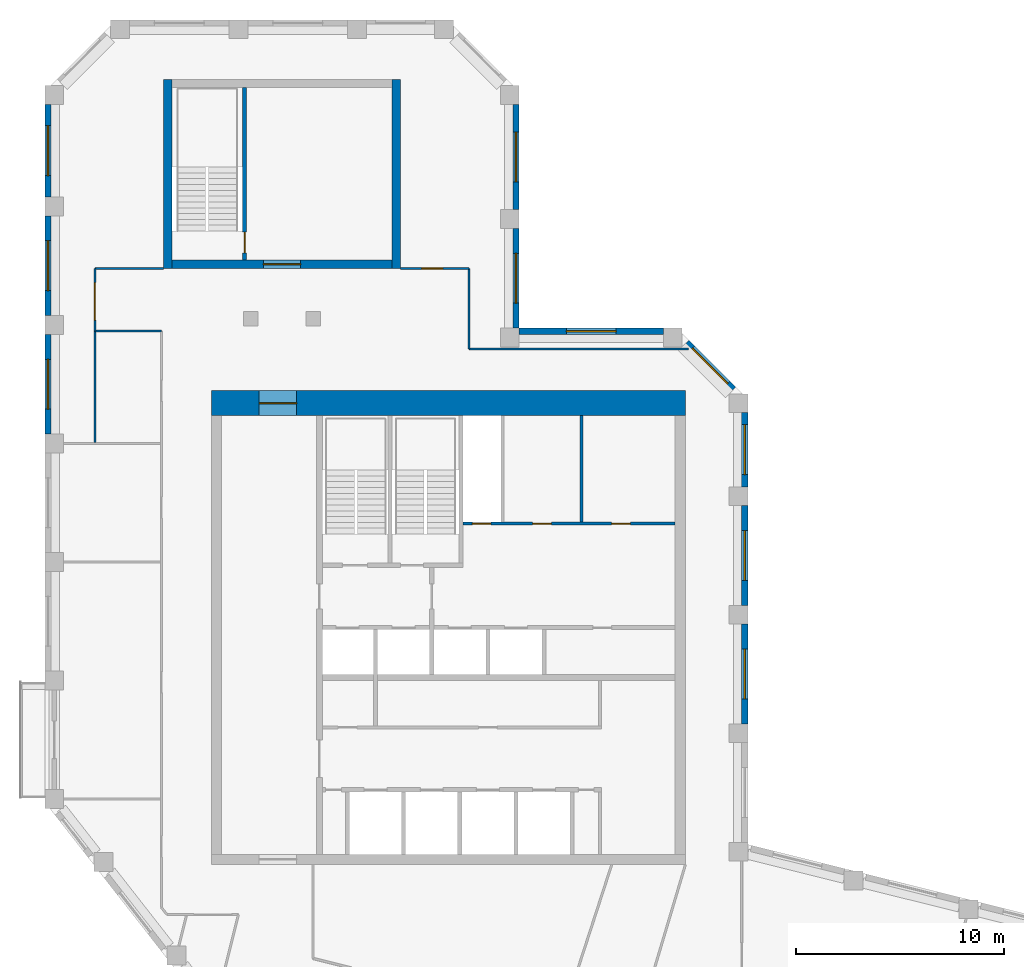
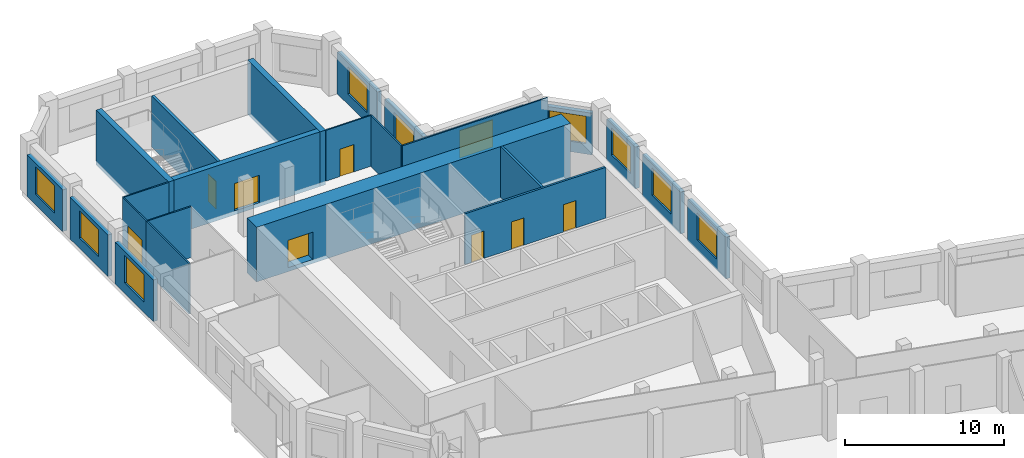
# One storey, part 6 of 8: 24 walls, 10 windows, 8 doors, 18 openings.
"""IFC4 building model written with IfcOpenShell, lengths in metres."""

import ifcopenshell
import ifcopenshell.guid

model = None  # the IFC model being written
_history = None  # IfcOwnerHistory: only IFC2X3 demands one
_inside = {}  # id of a spatial element -> (the spatial element, [elements in it])
_under = {}  # id of a project, library or spatial element -> (it, [spatial elements below it])
_declared = {}  # id of a project -> (the project, [libraries it declares])
_typed = {}  # id of a type object -> (the type object, [elements of that type])
_made_of = {}  # id of a material, layer set ... -> (it, [elements and type objects made of it])


def new_model(schema):
    """Start an empty IFC model of exactly this schema.

    Asked for "IFC4X3", IfcOpenShell would pick the latest addendum, in which some entities
    have other attributes; the version numbers below select the first issue.
    IFC2X3 requires an IfcOwnerHistory on every rooted entity: one is made here for all.
    """
    global model, _history
    if schema == "IFC4X3":
        model = ifcopenshell.file(schema_version=(4, 3, 0, 0))
    else:
        model = ifcopenshell.file(schema=schema)
    _inside.clear()
    _under.clear()
    _declared.clear()
    _typed.clear()
    _made_of.clear()
    _history = None
    if model.schema == "IFC2X3":
        org = make("IfcOrganization", Name="unknown")
        user = make(
            "IfcPersonAndOrganization",
            ThePerson=make("IfcPerson", FamilyName="unknown"),
            TheOrganization=org,
        )
        app = make(
            "IfcApplication",
            ApplicationDeveloper=org,
            Version="unknown",
            ApplicationFullName="unknown",
            ApplicationIdentifier="unknown",
        )
        _history = make(
            "IfcOwnerHistory",
            OwningUser=user,
            OwningApplication=app,
            ChangeAction="ADDED",
            CreationDate=0,
        )
    return model


def make(cls, **values):
    """One entity of the class cls with the attributes given. An attribute that is None is left unset."""
    return model.create_entity(
        cls, **{name: value for name, value in values.items() if value is not None}
    )


def rooted(cls, **values):
    """An entity with a GlobalId (a new one), such as an element, a storey or a relation."""
    return make(cls, GlobalId=ifcopenshell.guid.new(), OwnerHistory=_history, **values)


def si_unit(unit_type, name, prefix=None):
    """IfcSIUnit, for example si_unit("LENGTHUNIT", "METRE", prefix="MILLI")."""
    return make("IfcSIUnit", UnitType=unit_type, Prefix=prefix, Name=name)


def assignment(units):
    """IfcUnitAssignment: the units of a project."""
    return None if units is None else make("IfcUnitAssignment", Units=units)


def point(xyz):
    """IfcCartesianPoint."""
    return None if xyz is None else make("IfcCartesianPoint", Coordinates=xyz)


def direction(xyz):
    """IfcDirection."""
    return None if xyz is None else make("IfcDirection", DirectionRatios=xyz)


def frame(location, z_axis=None, x_axis=None):
    """IfcAxis2Placement3D, a coordinate frame: its origin and axes. An axis left out is left unset."""
    return make(
        "IfcAxis2Placement3D",
        Location=point(location),
        Axis=direction(z_axis),
        RefDirection=direction(x_axis),
    )


def frame_2d(location, x_axis=None):
    """IfcAxis2Placement2D, a coordinate frame in the plane: its origin and x axis."""
    return make(
        "IfcAxis2Placement2D", Location=point(location), RefDirection=direction(x_axis)
    )


def origin():
    """The frame at (0, 0, 0) with its axes left unset."""
    return frame((0.0, 0.0, 0.0))


def place(relative_to, where):
    """IfcLocalPlacement: puts the frame where relative to a parent placement (None: the world)."""
    return make(
        "IfcLocalPlacement", PlacementRelTo=relative_to, RelativePlacement=where
    )


def context(
    kind, dimensions, precision=None, world=None, true_north=None, identifier=None
):
    """IfcGeometricRepresentationContext, for example the 3D "Model" context."""
    return make(
        "IfcGeometricRepresentationContext",
        ContextIdentifier=identifier,
        ContextType=kind,
        CoordinateSpaceDimension=dimensions,
        Precision=precision,
        WorldCoordinateSystem=world,
        TrueNorth=true_north,
    )


def subcontext(parent, identifier, kind, view, scale=None):
    """IfcGeometricRepresentationSubContext, for example "Body" below "Model"."""
    return make(
        "IfcGeometricRepresentationSubContext",
        ContextIdentifier=identifier,
        ContextType=kind,
        ParentContext=parent,
        TargetScale=scale,
        TargetView=view,
    )


def project(units=None, contexts=None):
    """IfcProject with its units and contexts."""
    return rooted(
        "IfcProject",
        Name="project",
        RepresentationContexts=contexts,
        UnitsInContext=assignment(units),
    )


def spatial(cls, under=None, at=None, **own):
    """A site, building, storey or space (cls), placed at a placement, below another one or the project."""
    s = rooted(cls, ObjectPlacement=at, **own)
    if under is not None:
        _under.setdefault(under.id(), (under, []))[1].append(s)
    return s


def profile(cls, at=None, kind="AREA", **sizes):
    """A parametric profile (cls). Its sizes go by their IFC names, for example OverallWidth=200.0."""
    return make(cls, ProfileType=kind, Position=at, **sizes)


def rectangle(**sizes):
    """IfcRectangleProfileDef."""
    return profile("IfcRectangleProfileDef", **sizes)


def extrude(swept, where, along, depth):
    """IfcExtrudedAreaSolid: the profile swept, set in the frame where, extruded along a direction by depth."""
    return make(
        "IfcExtrudedAreaSolid",
        SweptArea=swept,
        Position=where,
        ExtrudedDirection=direction(along),
        Depth=depth,
    )


def shape(context_of_items, identifier, shape_type, items):
    """IfcShapeRepresentation: the items that make up one representation, for example the "Body"."""
    return make(
        "IfcShapeRepresentation",
        ContextOfItems=context_of_items,
        RepresentationIdentifier=identifier,
        RepresentationType=shape_type,
        Items=items,
    )


def material(Name=None, Category=None):
    """IfcMaterial."""
    return make("IfcMaterial", Name=Name, Category=Category)


def layer(
    of_material, thickness, ventilated=None, Name=None, Category=None, Priority=None
):
    """IfcMaterialLayer: one layer of a wall or slab, of a material (None: an air gap)."""
    return make(
        "IfcMaterialLayer",
        Material=of_material,
        LayerThickness=thickness,
        IsVentilated=ventilated,
        Name=Name,
        Category=Category,
        Priority=Priority,
    )


def layer_set(layers, Name=None):
    """IfcMaterialLayerSet."""
    return make("IfcMaterialLayerSet", MaterialLayers=layers, LayerSetName=Name)


def made_of(thing, what):
    """Note that an element or type object is made of a material, layer set ...; save() writes the relation."""
    if what is not None:
        _made_of.setdefault(what.id(), (what, []))[1].append(thing)
    return thing


def type_object(cls, material=None, **own):
    """A type object (cls), such as IfcWallType, which elements share."""
    return made_of(rooted(cls, **own), material)


def element(
    cls,
    number,
    at=None,
    inside=None,
    cuts=None,
    type_object=None,
    material=None,
    context=None,
    identifier="Body",
    shape_type=None,
    held_by="IfcProductDefinitionShape",
    body=None,
    shapes=None,
    **own,
):
    """One element of the class cls, such as IfcWall. Its Tag is "e" and its number.

    at: its placement. inside: the storey or other place that contains it. cuts: it is an
    opening in that element (IfcRelVoidsElement). A single representation is given by context,
    identifier, shape_type and body (its items); several are given by shapes. held_by: the class
    of the entity that holds the representations. save() writes the other relations.
    """
    e = rooted(cls, Tag="e%d" % number, ObjectPlacement=at, **own)
    if body is not None:
        shapes = [shape(context, identifier, shape_type, body)]
    if shapes is not None:
        e.Representation = make(held_by, Representations=shapes)
    if inside is not None:
        _inside.setdefault(inside.id(), (inside, []))[1].append(e)
    if cuts is not None:
        rooted(
            "IfcRelVoidsElement", RelatingBuildingElement=cuts, RelatedOpeningElement=e
        )
    if type_object is not None:
        _typed.setdefault(type_object.id(), (type_object, []))[1].append(e)
    return made_of(e, material)


def fill(opening, filler):
    """IfcRelFillsElement: the door or window that sits in an opening."""
    return rooted(
        "IfcRelFillsElement",
        RelatingOpeningElement=opening,
        RelatedBuildingElement=filler,
    )


def aggregate(whole, parts):
    """IfcRelAggregates: a whole, such as a stair, and the parts it consists of."""
    return rooted("IfcRelAggregates", RelatingObject=whole, RelatedObjects=parts)


def save(model, path):
    """Write the relations noted so far, then the file.

    IfcRelAggregates (storeys below a building ...), IfcRelContainedInSpatialStructure (elements
    in a storey), IfcRelDefinesByType, IfcRelAssociatesMaterial and IfcRelDeclares: one each for
    every whole, place, type object, material and project.
    """
    for whole, parts in _under.values():
        aggregate(whole, parts)
    for where, things in _inside.values():
        rooted(
            "IfcRelContainedInSpatialStructure",
            RelatedElements=things,
            RelatingStructure=where,
        )
    for kind, things in _typed.values():
        rooted("IfcRelDefinesByType", RelatedObjects=things, RelatingType=kind)
    for what, things in _made_of.values():
        rooted("IfcRelAssociatesMaterial", RelatedObjects=things, RelatingMaterial=what)
    for by, libraries in _declared.values():
        rooted("IfcRelDeclares", RelatingContext=by, RelatedDefinitions=libraries)
    model.write(path)


model = new_model("IFC4")

# Units and contexts
model_context = context("Model", 3, precision=1e-05, world=origin(), true_north=direction((0.0, 1.0)))
body_context = subcontext(model_context, "Body", "Model", "MODEL_VIEW")
ifc_project = project(units=[si_unit("LENGTHUNIT", "METRE"), si_unit("AREAUNIT", "SQUARE_METRE"), si_unit("VOLUMEUNIT", "CUBIC_METRE"), si_unit("PLANEANGLEUNIT", "RADIAN"), si_unit("MASSUNIT", "GRAM", prefix="KILO")], contexts=[model_context])

# Site, building, storey
site_placement = place(None, origin())
site = spatial("IfcSite", under=ifc_project, at=site_placement, CompositionType="ELEMENT")
building_placement = place(site_placement, origin())
building = spatial("IfcBuilding", under=site, at=building_placement, Name="Meshkara Civic Tower", CompositionType="ELEMENT")
storey_placement = place(building_placement, frame((0.0, 0.0, 391.800048828125)))
storey = spatial("IfcBuildingStorey", under=building, at=storey_placement, Name="L90", CompositionType="ELEMENT", Elevation=391.800048828125)

# Wall, openings, doors
ifc_material_1 = material(Name="Blockwork", Category="masonry")
ifc_layer_1 = layer(ifc_material_1, 0.14990234375)
ifc_layer_set_1 = layer_set([ifc_layer_1], Name="Core partition 150")
wall_type_1 = type_object("IfcWallType", Name="Core partition 150", PredefinedType="PARTITIONING", material=ifc_layer_set_1)
wall_1_placement = place(storey_placement, frame((20.10009765625, 30.5, 0.0), z_axis=(0.0, 0.0, 1.0), x_axis=(1.0, 0.0, 0.0)))
wall_1 = element("IfcWall", 1, at=wall_1_placement, inside=storey, type_object=wall_type_1, Name="L90-C010", PredefinedType="PARTITIONING", context=body_context, shape_type="SweptSolid", body=[
    extrude(rectangle(XDim=10.199951171875, YDim=0.14990234375, at=frame_2d((5.10009765625, 0.0))), origin(), (0.0, 0.0, 1.0), 3.89990234375),
])
opening_1_placement = place(wall_1_placement, frame((0.449951171875, 0.0, 0.0)))
opening_1 = element("IfcOpeningElement", 2, at=opening_1_placement, cuts=wall_1, Name="Opening L90-K014", PredefinedType="OPENING", context=body_context, shape_type="SweptSolid", body=[
    extrude(rectangle(XDim=0.89990234375, YDim=2.10009765625, at=frame_2d((0.449951171875, 1.050048828125))), frame((0.0, 0.0849609375, 0.0), z_axis=(0.0, -1.0, 0.0), x_axis=(1.0, 0.0, 0.0)), (0.0, 0.0, 1.0), 0.169921875),
])
opening_2_placement = place(wall_1_placement, frame((3.35009765625, 0.0, 0.0)))
opening_2 = element("IfcOpeningElement", 3, at=opening_2_placement, cuts=wall_1, Name="Opening L90-K015", PredefinedType="OPENING", context=body_context, shape_type="SweptSolid", body=[
    extrude(rectangle(XDim=0.89990234375, YDim=2.10009765625, at=frame_2d((0.449951171875, 1.050048828125))), frame((0.0, 0.0849609375, 0.0), z_axis=(0.0, -1.0, 0.0), x_axis=(1.0, 0.0, 0.0)), (0.0, 0.0, 1.0), 0.169921875),
])
opening_3_placement = place(wall_1_placement, frame((7.14990234375, 0.0, 0.0)))
opening_3 = element("IfcOpeningElement", 4, at=opening_3_placement, cuts=wall_1, Name="Opening L90-K016", PredefinedType="OPENING", context=body_context, shape_type="SweptSolid", body=[
    extrude(rectangle(XDim=0.89990234375, YDim=2.10009765625, at=frame_2d((0.449951171875, 1.050048828125))), frame((0.0, 0.0849609375, 0.0), z_axis=(0.0, -1.0, 0.0), x_axis=(1.0, 0.0, 0.0)), (0.0, 0.0, 1.0), 0.169921875),
])
ifc_material_2 = material(Name="Timber door leaf in steel frame", Category="steel")
door_type_1 = type_object("IfcDoorType", Name="Core room door 900", OperationType="SINGLE_SWING_LEFT", PredefinedType="DOOR", material=ifc_material_2)
door_1_placement = place(opening_2_placement, origin())
door_1 = element("IfcDoor", 5, at=door_1_placement, inside=storey, type_object=door_type_1, Name="L90-K015", OperationType="SINGLE_SWING_RIGHT", OverallHeight=2.10009765625, OverallWidth=0.89990234375, PredefinedType="DOOR", context=body_context, shape_type="SweptSolid", body=[
    extrude(rectangle(XDim=0.89990234375, YDim=2.10009765625, at=frame_2d((0.449951171875, 1.050048828125))), frame((0.0, 0.02490234375, 0.0), z_axis=(0.0, -1.0, 0.0), x_axis=(1.0, 0.0, 0.0)), (0.0, 0.0, 1.0), 0.050048828125),
])
fill(opening_2, door_1)
ifc_material_3 = material(Name="Fire-rated door leaf in steel frame", Category="steel")
door_type_2 = type_object("IfcDoorType", Name="Riser door 900", OperationType="SINGLE_SWING_LEFT", PredefinedType="DOOR", material=ifc_material_3)
door_2_placement = place(opening_1_placement, origin())
door_2 = element("IfcDoor", 6, at=door_2_placement, inside=storey, type_object=door_type_2, Name="L90-K014", OperationType="SINGLE_SWING_RIGHT", OverallHeight=2.10009765625, OverallWidth=0.89990234375, PredefinedType="DOOR", context=body_context, shape_type="SweptSolid", body=[
    extrude(rectangle(XDim=0.89990234375, YDim=2.10009765625, at=frame_2d((0.449951171875, 1.050048828125))), frame((0.0, 0.02490234375, 0.0), z_axis=(0.0, -1.0, 0.0), x_axis=(1.0, 0.0, 0.0)), (0.0, 0.0, 1.0), 0.050048828125),
])
fill(opening_1, door_2)
ifc_material_4 = material(Name="Timber door leaf in steel frame", Category="steel")
door_type_3 = type_object("IfcDoorType", Name="WC door 900", OperationType="SINGLE_SWING_LEFT", PredefinedType="DOOR", material=ifc_material_4)
door_3_placement = place(opening_3_placement, origin())
door_3 = element("IfcDoor", 7, at=door_3_placement, inside=storey, type_object=door_type_3, Name="L90-K016", OperationType="SINGLE_SWING_LEFT", OverallHeight=2.10009765625, OverallWidth=0.89990234375, PredefinedType="DOOR", context=body_context, shape_type="SweptSolid", body=[
    extrude(rectangle(XDim=0.89990234375, YDim=2.10009765625, at=frame_2d((0.449951171875, 1.050048828125))), frame((0.0, 0.02490234375, 0.0), z_axis=(0.0, -1.0, 0.0), x_axis=(1.0, 0.0, 0.0)), (0.0, 0.0, 1.0), 0.050048828125),
])
fill(opening_3, door_3)

# Wall
wall_2_placement = place(storey_placement, frame((25.800048828125, 30.574951171875, 0.0), z_axis=(0.0, 0.0, 1.0), x_axis=(0.0, 1.0, 0.0)))
element("IfcWall", 8, at=wall_2_placement, inside=storey, type_object=wall_type_1, Name="L90-C024", PredefinedType="PARTITIONING", context=body_context, shape_type="SweptSolid", body=[
    extrude(rectangle(XDim=5.125, YDim=0.14990234375, at=frame_2d((2.5625, 0.0))), origin(), (0.0, 0.0, 1.0), 3.89990234375),
])

# Wall, opening, door
ifc_material_5 = material(Name="Concrete C50", Category="concrete")
ifc_layer_2 = layer(ifc_material_5, 1.199951171875)
ifc_layer_set_2 = layer_set([ifc_layer_2], Name="Core ring wall 1200 C50")
wall_type_2 = type_object("IfcWallType", Name="Core ring wall 1200 C50", PredefinedType="SHEAR", material=ifc_layer_set_2)
wall_3_placement = place(storey_placement, frame((8.0, 36.300048828125, -0.300048828125), z_axis=(0.0, 0.0, 1.0), x_axis=(1.0, 0.0, 0.0)))
wall_3 = element("IfcWall", 9, at=wall_3_placement, inside=storey, type_object=wall_type_2, Name="L90-C002", PredefinedType="SHEAR", context=body_context, shape_type="SweptSolid", body=[
    extrude(rectangle(XDim=22.800048828125, YDim=1.199951171875, at=frame_2d((11.39990234375, 0.0))), origin(), (0.0, 0.0, 1.0), 4.199951171875),
])
opening_4_placement = place(wall_3_placement, frame((2.300048828125, 0.0, 0.300048828125)))
opening_4 = element("IfcOpeningElement", 10, at=opening_4_placement, cuts=wall_3, Name="Opening L90-K022", PredefinedType="OPENING", context=body_context, shape_type="SweptSolid", body=[
    extrude(rectangle(XDim=1.800048828125, YDim=2.10009765625, at=frame_2d((0.89990234375, 1.050048828125))), frame((0.0, 0.60986328125, 0.0), z_axis=(0.0, -1.0, 0.0), x_axis=(1.0, 0.0, 0.0)), (0.0, 0.0, 1.0), 1.219970703125),
])
ifc_material_6 = material(Name="Fire-rated door leaf in steel frame", Category="steel")
door_type_4 = type_object("IfcDoorType", Name="Core double door 1800 EI 60", OperationType="DOUBLE_DOOR_SINGLE_SWING", PredefinedType="DOOR", material=ifc_material_6)
door_4_placement = place(opening_4_placement, origin())
door_4 = element("IfcDoor", 11, at=door_4_placement, inside=storey, type_object=door_type_4, Name="L90-K022", OperationType="DOUBLE_DOOR_SINGLE_SWING", OverallHeight=2.10009765625, OverallWidth=1.800048828125, PredefinedType="DOOR", context=body_context, shape_type="SweptSolid", body=[
    extrude(rectangle(XDim=1.800048828125, YDim=2.10009765625, at=frame_2d((0.89990234375, 1.050048828125))), frame((0.0, 0.02490234375, 0.0), z_axis=(0.0, -1.0, 0.0), x_axis=(1.0, 0.0, 0.0)), (0.0, 0.0, 1.0), 0.050048828125),
])
fill(opening_4, door_4)

# Wall
ifc_material_7 = material(Name="Corridor wall 100")
ifc_layer_3 = layer(ifc_material_7, 0.10009765625)
ifc_layer_set_3 = layer_set([ifc_layer_3], Name="Corridor wall 100")
wall_type_3 = type_object("IfcWallType", Name="Corridor wall 100", PredefinedType="PARTITIONING", material=ifc_layer_set_3)
wall_4_placement = place(storey_placement, frame((2.39990234375, 39.77001953125, 0.0), z_axis=(0.0, 0.0, 1.0), x_axis=(1.0, 0.0, 0.0)))
element("IfcWall", 12, at=wall_4_placement, inside=storey, type_object=wall_type_3, Name="L90-W001", PredefinedType="PARTITIONING", context=body_context, shape_type="SweptSolid", body=[
    extrude(rectangle(XDim=3.2001953125, YDim=0.10009765625, at=frame_2d((1.60009765625, 0.0))), origin(), (0.0, 0.0, 1.0), 3.89990234375),
])

# Wall, opening, door
wall_5_placement = place(storey_placement, frame((2.39990234375, 42.77001953125, 0.0), z_axis=(0.0, 0.0, 1.0), x_axis=(0.0, -1.0, 0.0)))
wall_5 = element("IfcWall", 13, at=wall_5_placement, inside=storey, type_object=wall_type_3, Name="L90-W002", PredefinedType="PARTITIONING", context=body_context, shape_type="SweptSolid", body=[
    extrude(rectangle(XDim=3.0, YDim=0.10009765625, at=frame_2d((1.5, 0.0))), origin(), (0.0, 0.0, 1.0), 3.89990234375),
])
opening_5_placement = place(wall_5_placement, frame((0.679931640625, 0.0, 0.0)))
opening_5 = element("IfcOpeningElement", 14, at=opening_5_placement, cuts=wall_5, Name="Opening L90-D014", PredefinedType="OPENING", context=body_context, shape_type="SweptSolid", body=[
    extrude(rectangle(XDim=1.800048828125, YDim=2.10009765625, at=frame_2d((0.89990234375, 1.050048828125))), frame((0.0, 0.06005859375, 0.0), z_axis=(0.0, -1.0, 0.0), x_axis=(1.0, 0.0, 0.0)), (0.0, 0.0, 1.0), 0.1201171875),
])
ifc_material_8 = material(Name="Door pair 1800 x 2100")
door_type_5 = type_object("IfcDoorType", Name="Door pair 1800 x 2100", OperationType="SINGLE_SWING_LEFT", PredefinedType="DOOR", material=ifc_material_8)
door_5_placement = place(opening_5_placement, origin())
door_5 = element("IfcDoor", 15, at=door_5_placement, inside=storey, type_object=door_type_5, Name="L90-D014", OperationType="DOUBLE_DOOR_SINGLE_SWING", OverallHeight=2.10009765625, OverallWidth=1.800048828125, PredefinedType="DOOR", context=body_context, shape_type="SweptSolid", body=[
    extrude(rectangle(XDim=1.800048828125, YDim=2.10009765625, at=frame_2d((0.89990234375, 1.050048828125))), frame((0.0, 0.02490234375, 0.0), z_axis=(0.0, -1.0, 0.0), x_axis=(1.0, 0.0, 0.0)), (0.0, 0.0, 1.0), 0.050048828125),
])
fill(opening_5, door_5)

# Walls
wall_6_placement = place(storey_placement, frame((5.699951171875, 42.77001953125, 0.0), z_axis=(0.0, 0.0, 1.0), x_axis=(-1.0, 0.0, 0.0)))
element("IfcWall", 16, at=wall_6_placement, inside=storey, type_object=wall_type_3, Name="L90-W005", PredefinedType="PARTITIONING", context=body_context, shape_type="SweptSolid", body=[
    extrude(rectangle(XDim=3.300048828125, YDim=0.10009765625, at=frame_2d((1.64990234375, 0.0))), origin(), (0.0, 0.0, 1.0), 3.89990234375),
])
wall_7_placement = place(storey_placement, frame((20.39990234375, 38.89990234375, 0.0), z_axis=(0.0, 0.0, 1.0), x_axis=(0.0, 1.0, 0.0)))
element("IfcWall", 17, at=wall_7_placement, inside=storey, type_object=wall_type_3, Name="L90-W011", PredefinedType="PARTITIONING", context=body_context, shape_type="SweptSolid", body=[
    extrude(rectangle(XDim=3.8701171875, YDim=0.10009765625, at=frame_2d((1.93505859375, 0.0))), origin(), (0.0, 0.0, 1.0), 3.89990234375),
])

# Wall, opening, door
wall_8_placement = place(storey_placement, frame((20.39990234375, 42.77001953125, 0.0), z_axis=(0.0, 0.0, 1.0), x_axis=(-1.0, 0.0, 0.0)))
wall_8 = element("IfcWall", 18, at=wall_8_placement, inside=storey, type_object=wall_type_3, Name="L90-W012", PredefinedType="PARTITIONING", context=body_context, shape_type="SweptSolid", body=[
    extrude(rectangle(XDim=3.2998046875, YDim=0.10009765625, at=frame_2d((1.64990234375, 0.0))), origin(), (0.0, 0.0, 1.0), 3.89990234375),
])
opening_6_placement = place(wall_8_placement, frame((1.280029296875, 0.0, 0.0)))
opening_6 = element("IfcOpeningElement", 19, at=opening_6_placement, cuts=wall_8, Name="Opening L90-D016", PredefinedType="OPENING", context=body_context, shape_type="SweptSolid", body=[
    extrude(rectangle(XDim=1.0, YDim=2.10009765625, at=frame_2d((0.5, 1.050048828125))), frame((0.0, 0.06005859375, 0.0), z_axis=(0.0, -1.0, 0.0), x_axis=(1.0, 0.0, 0.0)), (0.0, 0.0, 1.0), 0.1201171875),
])
ifc_material_9 = material(Name="Door 1000 x 2100")
door_type_6 = type_object("IfcDoorType", Name="Door 1000 x 2100", OperationType="SINGLE_SWING_LEFT", PredefinedType="DOOR", material=ifc_material_9)
door_6_placement = place(opening_6_placement, origin())
door_6 = element("IfcDoor", 20, at=door_6_placement, inside=storey, type_object=door_type_6, Name="L90-D016", OperationType="SINGLE_SWING_LEFT", OverallHeight=2.10009765625, OverallWidth=1.0, PredefinedType="DOOR", context=body_context, shape_type="SweptSolid", body=[
    extrude(rectangle(XDim=1.0, YDim=2.10009765625, at=frame_2d((0.5, 1.050048828125))), frame((0.0, 0.02490234375, 0.0), z_axis=(0.0, -1.0, 0.0), x_axis=(1.0, 0.0, 0.0)), (0.0, 0.0, 1.0), 0.050048828125),
])
fill(opening_6, door_6)

# Wall
wall_9_placement = place(storey_placement, frame((30.9560546875, 38.89990234375, 0.0), z_axis=(0.0, 0.0, 1.0), x_axis=(-1.0, 0.0, 0.0)))
element("IfcWall", 21, at=wall_9_placement, inside=storey, type_object=wall_type_3, Name="L90-W014", PredefinedType="PARTITIONING", context=body_context, shape_type="SweptSolid", body=[
    extrude(rectangle(XDim=10.55615234375, YDim=0.10009765625, at=frame_2d((5.278076171875, 0.0))), origin(), (0.0, 0.0, 1.0), 3.89990234375),
])

# Wall, opening, window
ifc_material_10 = material(Name="Insulated infill panel with bronze anodised aluminium cladding", Category="aluminium")
ifc_layer_4 = layer(ifc_material_10, 0.300048828125)
ifc_layer_set_4 = layer_set([ifc_layer_4], Name="EXTERNAL INFILL WALL 300")
wall_type_4 = type_object("IfcWallType", Name="EXTERNAL INFILL WALL 300", PredefinedType="SOLIDWALL", material=ifc_layer_set_4)
wall_10_placement = place(storey_placement, frame((33.64990234375, 20.868896484375, 0.0), z_axis=(0.0, 0.0, 1.0), x_axis=(0.0, 1.0, 0.0)))
wall_10 = element("IfcWall", 22, at=wall_10_placement, inside=storey, type_object=wall_type_4, Name="External wall", PredefinedType="SOLIDWALL", context=body_context, shape_type="SweptSolid", body=[
    extrude(rectangle(XDim=4.800048828125, YDim=0.300048828125, at=frame_2d((2.39990234375, 0.0))), origin(), (0.0, 0.0, 1.0), 3.199951171875),
])
opening_7_placement = place(wall_10_placement, frame((1.199951171875, 0.0, 0.800048828125)))
opening_7 = element("IfcOpeningElement", 23, at=opening_7_placement, cuts=wall_10, Name="Opening W7", PredefinedType="OPENING", context=body_context, shape_type="SweptSolid", body=[
    extrude(rectangle(XDim=2.39990234375, YDim=2.10009765625, at=frame_2d((1.199951171875, 1.050048828125))), frame((0.0, 0.159912109375, 0.0), z_axis=(0.0, -1.0, 0.0), x_axis=(1.0, 0.0, 0.0)), (0.0, 0.0, 1.0), 0.320068359375),
])
ifc_material_11 = material(Name="Tinted double glazing", Category="glass")
window_type = type_object("IfcWindowType", Name="WINDOW 2400x2100", PartitioningType="DOUBLE_PANEL_VERTICAL", PredefinedType="WINDOW", material=ifc_material_11)
window_1_placement = place(opening_7_placement, origin())
window_1 = element("IfcWindow", 24, at=window_1_placement, inside=storey, type_object=window_type, Name="Window", OverallHeight=2.10009765625, OverallWidth=2.39990234375, PartitioningType="DOUBLE_PANEL_VERTICAL", PredefinedType="WINDOW", context=body_context, shape_type="SweptSolid", body=[
    extrude(rectangle(XDim=2.39990234375, YDim=2.10009765625, at=frame_2d((1.199951171875, 1.050048828125))), frame((0.0, 0.030029296875, 0.0), z_axis=(0.0, -1.0, 0.0), x_axis=(1.0, 0.0, 0.0)), (0.0, 0.0, 1.0), 0.06005859375),
])
fill(opening_7, window_1)

wall_11_placement = place(storey_placement, frame((33.64990234375, 26.569091796875, 0.0), z_axis=(0.0, 0.0, 1.0), x_axis=(0.0, 1.0, 0.0)))
wall_11 = element("IfcWall", 25, at=wall_11_placement, inside=storey, type_object=wall_type_4, Name="External wall", PredefinedType="SOLIDWALL", context=body_context, shape_type="SweptSolid", body=[
    extrude(rectangle(XDim=4.7998046875, YDim=0.300048828125, at=frame_2d((2.39990234375, 0.0))), origin(), (0.0, 0.0, 1.0), 3.199951171875),
])
opening_8_placement = place(wall_11_placement, frame((1.199951171875, 0.0, 0.800048828125)))
opening_8 = element("IfcOpeningElement", 26, at=opening_8_placement, cuts=wall_11, Name="Opening W7", PredefinedType="OPENING", context=body_context, shape_type="SweptSolid", body=[
    extrude(rectangle(XDim=2.39990234375, YDim=2.10009765625, at=frame_2d((1.199951171875, 1.050048828125))), frame((0.0, 0.159912109375, 0.0), z_axis=(0.0, -1.0, 0.0), x_axis=(1.0, 0.0, 0.0)), (0.0, 0.0, 1.0), 0.320068359375),
])
window_2_placement = place(opening_8_placement, origin())
window_2 = element("IfcWindow", 27, at=window_2_placement, inside=storey, type_object=window_type, Name="Window", OverallHeight=2.10009765625, OverallWidth=2.39990234375, PartitioningType="DOUBLE_PANEL_VERTICAL", PredefinedType="WINDOW", context=body_context, shape_type="SweptSolid", body=[
    extrude(rectangle(XDim=2.39990234375, YDim=2.10009765625, at=frame_2d((1.199951171875, 1.050048828125))), frame((0.0, 0.030029296875, 0.0), z_axis=(0.0, -1.0, 0.0), x_axis=(1.0, 0.0, 0.0)), (0.0, 0.0, 1.0), 0.06005859375),
])
fill(opening_8, window_2)

wall_12_placement = place(storey_placement, frame((33.64990234375, 32.26904296875, 0.0), z_axis=(0.0, 0.0, 1.0), x_axis=(0.0, 1.0, 0.0)))
wall_12 = element("IfcWall", 28, at=wall_12_placement, inside=storey, type_object=wall_type_4, Name="External wall", PredefinedType="SOLIDWALL", context=body_context, shape_type="SweptSolid", body=[
    extrude(rectangle(XDim=3.574951171875, YDim=0.300048828125, at=frame_2d((1.78759765625, 0.0))), origin(), (0.0, 0.0, 1.0), 3.199951171875),
])
opening_9_placement = place(wall_12_placement, frame((0.587890625, 0.0, 0.800048828125)))
opening_9 = element("IfcOpeningElement", 29, at=opening_9_placement, cuts=wall_12, Name="Opening W7", PredefinedType="OPENING", context=body_context, shape_type="SweptSolid", body=[
    extrude(rectangle(XDim=2.39990234375, YDim=2.10009765625, at=frame_2d((1.199951171875, 1.050048828125))), frame((0.0, 0.159912109375, 0.0), z_axis=(0.0, -1.0, 0.0), x_axis=(1.0, 0.0, 0.0)), (0.0, 0.0, 1.0), 0.320068359375),
])
window_3_placement = place(opening_9_placement, origin())
window_3 = element("IfcWindow", 30, at=window_3_placement, inside=storey, type_object=window_type, Name="Window", OverallHeight=2.10009765625, OverallWidth=2.39990234375, PartitioningType="DOUBLE_PANEL_VERTICAL", PredefinedType="WINDOW", context=body_context, shape_type="SweptSolid", body=[
    extrude(rectangle(XDim=2.39990234375, YDim=2.10009765625, at=frame_2d((1.199951171875, 1.050048828125))), frame((0.0, 0.030029296875, 0.0), z_axis=(0.0, -1.0, 0.0), x_axis=(1.0, 0.0, 0.0)), (0.0, 0.0, 1.0), 0.06005859375),
])
fill(opening_9, window_3)

wall_13_placement = place(storey_placement, frame((33.112060546875, 36.9560546875, 0.0), z_axis=(0.0, 0.0, 1.0), x_axis=(-0.707145041435, 0.707068518868, 0.0)))
wall_13 = element("IfcWall", 31, at=wall_13_placement, inside=storey, type_object=wall_type_4, Name="External wall", PredefinedType="SOLIDWALL", context=body_context, shape_type="SweptSolid", body=[
    extrude(rectangle(XDim=3.1904296875, YDim=0.300048828125, at=frame_2d((1.59521484375, 0.0))), origin(), (0.0, 0.0, 1.0), 3.199951171875),
])
opening_10_placement = place(wall_13_placement, frame((0.39501953125, 0.0, 0.800048828125)))
opening_10 = element("IfcOpeningElement", 32, at=opening_10_placement, cuts=wall_13, Name="Opening W7", PredefinedType="OPENING", context=body_context, shape_type="SweptSolid", body=[
    extrude(rectangle(XDim=2.39990234375, YDim=2.10009765625, at=frame_2d((1.199951171875, 1.050048828125))), frame((0.0, 0.159912109375, 0.0), z_axis=(0.0, -1.0, 0.0), x_axis=(1.0, 0.0, 0.0)), (0.0, 0.0, 1.0), 0.320068359375),
])
window_4_placement = place(opening_10_placement, origin())
window_4 = element("IfcWindow", 33, at=window_4_placement, inside=storey, type_object=window_type, Name="Window", OverallHeight=2.10009765625, OverallWidth=2.39990234375, PartitioningType="DOUBLE_PANEL_VERTICAL", PredefinedType="WINDOW", context=body_context, shape_type="SweptSolid", body=[
    extrude(rectangle(XDim=2.39990234375, YDim=2.10009765625, at=frame_2d((1.199951171875, 1.050048828125))), frame((0.0, 0.030029296875, 0.0), z_axis=(0.0, -1.0, 0.0), x_axis=(1.0, 0.0, 0.0)), (0.0, 0.0, 1.0), 0.06005859375),
])
fill(opening_10, window_4)

wall_14_placement = place(storey_placement, frame((29.743896484375, 39.75, 0.0), z_axis=(0.0, 0.0, 1.0), x_axis=(-1.0, 0.0, 0.0)))
wall_14 = element("IfcWall", 34, at=wall_14_placement, inside=storey, type_object=wall_type_4, Name="External wall", PredefinedType="SOLIDWALL", context=body_context, shape_type="SweptSolid", body=[
    extrude(rectangle(XDim=6.94384765625, YDim=0.300048828125, at=frame_2d((3.471923828125, 0.0))), origin(), (0.0, 0.0, 1.0), 3.199951171875),
])
opening_11_placement = place(wall_14_placement, frame((2.27197265625, 0.0, 0.800048828125)))
opening_11 = element("IfcOpeningElement", 35, at=opening_11_placement, cuts=wall_14, Name="Opening W7", PredefinedType="OPENING", context=body_context, shape_type="SweptSolid", body=[
    extrude(rectangle(XDim=2.39990234375, YDim=2.10009765625, at=frame_2d((1.199951171875, 1.050048828125))), frame((0.0, 0.159912109375, 0.0), z_axis=(0.0, -1.0, 0.0), x_axis=(1.0, 0.0, 0.0)), (0.0, 0.0, 1.0), 0.320068359375),
])
window_5_placement = place(opening_11_placement, origin())
window_5 = element("IfcWindow", 36, at=window_5_placement, inside=storey, type_object=window_type, Name="Window", OverallHeight=2.10009765625, OverallWidth=2.39990234375, PartitioningType="DOUBLE_PANEL_VERTICAL", PredefinedType="WINDOW", context=body_context, shape_type="SweptSolid", body=[
    extrude(rectangle(XDim=2.39990234375, YDim=2.10009765625, at=frame_2d((1.199951171875, 1.050048828125))), frame((0.0, 0.030029296875, 0.0), z_axis=(0.0, -1.0, 0.0), x_axis=(1.0, 0.0, 0.0)), (0.0, 0.0, 1.0), 0.06005859375),
])
fill(opening_11, window_5)

wall_15_placement = place(storey_placement, frame((22.64990234375, 39.89990234375, 0.0), z_axis=(0.0, 0.0, 1.0), x_axis=(0.0, 1.0, 0.0)))
wall_15 = element("IfcWall", 37, at=wall_15_placement, inside=storey, type_object=wall_type_4, Name="External wall", PredefinedType="SOLIDWALL", context=body_context, shape_type="SweptSolid", body=[
    extrude(rectangle(XDim=4.800048828125, YDim=0.300048828125, at=frame_2d((2.39990234375, 0.0))), origin(), (0.0, 0.0, 1.0), 3.199951171875),
])
opening_12_placement = place(wall_15_placement, frame((1.199951171875, 0.0, 0.800048828125)))
opening_12 = element("IfcOpeningElement", 38, at=opening_12_placement, cuts=wall_15, Name="Opening W7", PredefinedType="OPENING", context=body_context, shape_type="SweptSolid", body=[
    extrude(rectangle(XDim=2.39990234375, YDim=2.10009765625, at=frame_2d((1.199951171875, 1.050048828125))), frame((0.0, 0.159912109375, 0.0), z_axis=(0.0, -1.0, 0.0), x_axis=(1.0, 0.0, 0.0)), (0.0, 0.0, 1.0), 0.320068359375),
])
window_6_placement = place(opening_12_placement, origin())
window_6 = element("IfcWindow", 39, at=window_6_placement, inside=storey, type_object=window_type, Name="Window", OverallHeight=2.10009765625, OverallWidth=2.39990234375, PartitioningType="DOUBLE_PANEL_VERTICAL", PredefinedType="WINDOW", context=body_context, shape_type="SweptSolid", body=[
    extrude(rectangle(XDim=2.39990234375, YDim=2.10009765625, at=frame_2d((1.199951171875, 1.050048828125))), frame((0.0, 0.030029296875, 0.0), z_axis=(0.0, -1.0, 0.0), x_axis=(1.0, 0.0, 0.0)), (0.0, 0.0, 1.0), 0.06005859375),
])
fill(opening_12, window_6)

wall_16_placement = place(storey_placement, frame((22.64990234375, 45.60009765625, 0.0), z_axis=(0.0, 0.0, 1.0), x_axis=(0.0, 1.0, 0.0)))
wall_16 = element("IfcWall", 40, at=wall_16_placement, inside=storey, type_object=wall_type_4, Name="External wall", PredefinedType="SOLIDWALL", context=body_context, shape_type="SweptSolid", body=[
    extrude(rectangle(XDim=5.06396484375, YDim=0.300048828125, at=frame_2d((2.531982421875, 0.0))), origin(), (0.0, 0.0, 1.0), 3.199951171875),
])
opening_13_placement = place(wall_16_placement, frame((1.33203125, 0.0, 0.800048828125)))
opening_13 = element("IfcOpeningElement", 41, at=opening_13_placement, cuts=wall_16, Name="Opening W7", PredefinedType="OPENING", context=body_context, shape_type="SweptSolid", body=[
    extrude(rectangle(XDim=2.39990234375, YDim=2.10009765625, at=frame_2d((1.199951171875, 1.050048828125))), frame((0.0, 0.159912109375, 0.0), z_axis=(0.0, -1.0, 0.0), x_axis=(1.0, 0.0, 0.0)), (0.0, 0.0, 1.0), 0.320068359375),
])
window_7_placement = place(opening_13_placement, origin())
window_7 = element("IfcWindow", 42, at=window_7_placement, inside=storey, type_object=window_type, Name="Window", OverallHeight=2.10009765625, OverallWidth=2.39990234375, PartitioningType="DOUBLE_PANEL_VERTICAL", PredefinedType="WINDOW", context=body_context, shape_type="SweptSolid", body=[
    extrude(rectangle(XDim=2.39990234375, YDim=2.10009765625, at=frame_2d((1.199951171875, 1.050048828125))), frame((0.0, 0.030029296875, 0.0), z_axis=(0.0, -1.0, 0.0), x_axis=(1.0, 0.0, 0.0)), (0.0, 0.0, 1.0), 0.06005859375),
])
fill(opening_13, window_7)

wall_17_placement = place(storey_placement, frame((0.14990234375, 50.6640625, 0.0), z_axis=(0.0, 0.0, 1.0), x_axis=(0.0, -1.0, 0.0)))
wall_17 = element("IfcWall", 43, at=wall_17_placement, inside=storey, type_object=wall_type_4, Name="External wall", PredefinedType="SOLIDWALL", context=body_context, shape_type="SweptSolid", body=[
    extrude(rectangle(XDim=4.458984375, YDim=0.300048828125, at=frame_2d((2.2294921875, 0.0))), origin(), (0.0, 0.0, 1.0), 3.199951171875),
])
opening_14_placement = place(wall_17_placement, frame((1.029052734375, 0.0, 0.800048828125)))
opening_14 = element("IfcOpeningElement", 44, at=opening_14_placement, cuts=wall_17, Name="Opening W7", PredefinedType="OPENING", context=body_context, shape_type="SweptSolid", body=[
    extrude(rectangle(XDim=2.39990234375, YDim=2.10009765625, at=frame_2d((1.199951171875, 1.050048828125))), frame((0.0, 0.159912109375, 0.0), z_axis=(0.0, -1.0, 0.0), x_axis=(1.0, 0.0, 0.0)), (0.0, 0.0, 1.0), 0.320068359375),
])
window_8_placement = place(opening_14_placement, origin())
window_8 = element("IfcWindow", 45, at=window_8_placement, inside=storey, type_object=window_type, Name="Window", OverallHeight=2.10009765625, OverallWidth=2.39990234375, PartitioningType="DOUBLE_PANEL_VERTICAL", PredefinedType="WINDOW", context=body_context, shape_type="SweptSolid", body=[
    extrude(rectangle(XDim=2.39990234375, YDim=2.10009765625, at=frame_2d((1.199951171875, 1.050048828125))), frame((0.0, 0.030029296875, 0.0), z_axis=(0.0, -1.0, 0.0), x_axis=(1.0, 0.0, 0.0)), (0.0, 0.0, 1.0), 0.06005859375),
])
fill(opening_14, window_8)

wall_18_placement = place(storey_placement, frame((0.14990234375, 45.304931640625, 0.0), z_axis=(0.0, 0.0, 1.0), x_axis=(0.0, -1.0, 0.0)))
wall_18 = element("IfcWall", 46, at=wall_18_placement, inside=storey, type_object=wall_type_4, Name="External wall", PredefinedType="SOLIDWALL", context=body_context, shape_type="SweptSolid", body=[
    extrude(rectangle(XDim=4.800048828125, YDim=0.300048828125, at=frame_2d((2.39990234375, 0.0))), origin(), (0.0, 0.0, 1.0), 3.199951171875),
])
opening_15_placement = place(wall_18_placement, frame((1.199951171875, 0.0, 0.800048828125)))
opening_15 = element("IfcOpeningElement", 47, at=opening_15_placement, cuts=wall_18, Name="Opening W7", PredefinedType="OPENING", context=body_context, shape_type="SweptSolid", body=[
    extrude(rectangle(XDim=2.39990234375, YDim=2.10009765625, at=frame_2d((1.199951171875, 1.050048828125))), frame((0.0, 0.159912109375, 0.0), z_axis=(0.0, -1.0, 0.0), x_axis=(1.0, 0.0, 0.0)), (0.0, 0.0, 1.0), 0.320068359375),
])
window_9_placement = place(opening_15_placement, origin())
window_9 = element("IfcWindow", 48, at=window_9_placement, inside=storey, type_object=window_type, Name="Window", OverallHeight=2.10009765625, OverallWidth=2.39990234375, PartitioningType="DOUBLE_PANEL_VERTICAL", PredefinedType="WINDOW", context=body_context, shape_type="SweptSolid", body=[
    extrude(rectangle(XDim=2.39990234375, YDim=2.10009765625, at=frame_2d((1.199951171875, 1.050048828125))), frame((0.0, 0.030029296875, 0.0), z_axis=(0.0, -1.0, 0.0), x_axis=(1.0, 0.0, 0.0)), (0.0, 0.0, 1.0), 0.06005859375),
])
fill(opening_15, window_9)

wall_19_placement = place(storey_placement, frame((0.14990234375, 39.60498046875, 0.0), z_axis=(0.0, 0.0, 1.0), x_axis=(0.0, -1.0, 0.0)))
wall_19 = element("IfcWall", 49, at=wall_19_placement, inside=storey, type_object=wall_type_4, Name="External wall", PredefinedType="SOLIDWALL", context=body_context, shape_type="SweptSolid", body=[
    extrude(rectangle(XDim=4.800048828125, YDim=0.300048828125, at=frame_2d((2.39990234375, 0.0))), origin(), (0.0, 0.0, 1.0), 3.199951171875),
])
opening_16_placement = place(wall_19_placement, frame((1.199951171875, 0.0, 0.800048828125)))
opening_16 = element("IfcOpeningElement", 50, at=opening_16_placement, cuts=wall_19, Name="Opening W7", PredefinedType="OPENING", context=body_context, shape_type="SweptSolid", body=[
    extrude(rectangle(XDim=2.39990234375, YDim=2.10009765625, at=frame_2d((1.199951171875, 1.050048828125))), frame((0.0, 0.159912109375, 0.0), z_axis=(0.0, -1.0, 0.0), x_axis=(1.0, 0.0, 0.0)), (0.0, 0.0, 1.0), 0.320068359375),
])
window_10_placement = place(opening_16_placement, origin())
window_10 = element("IfcWindow", 51, at=window_10_placement, inside=storey, type_object=window_type, Name="Window", OverallHeight=2.10009765625, OverallWidth=2.39990234375, PartitioningType="DOUBLE_PANEL_VERTICAL", PredefinedType="WINDOW", context=body_context, shape_type="SweptSolid", body=[
    extrude(rectangle(XDim=2.39990234375, YDim=2.10009765625, at=frame_2d((1.199951171875, 1.050048828125))), frame((0.0, 0.030029296875, 0.0), z_axis=(0.0, -1.0, 0.0), x_axis=(1.0, 0.0, 0.0)), (0.0, 0.0, 1.0), 0.06005859375),
])
fill(opening_16, window_10)

# Walls
ifc_material_12 = material(Name="Concrete C50", Category="concrete")
ifc_layer_5 = layer(ifc_material_12, 0.39990234375)
ifc_layer_set_5 = layer_set([ifc_layer_5], Name="End core ring wall 400 C50")
wall_type_5 = type_object("IfcWallType", Name="End core ring wall 400 C50", PredefinedType="SHEAR", material=ifc_layer_set_5)
for number, where, z_axis, x_axis, name in (
    (52, (5.89990234375, 42.77001953125, -0.300048828125), (0.0, 0.0, 1.0), (0.0, 1.0, 0.0), "L90-C027"),
    (53, (16.89990234375, 42.77001953125, -0.300048828125), (0.0, 0.0, 1.0), (0.0, 1.0, 0.0), "L90-C028"),
):
    element("IfcWall", number, at=place(storey_placement, frame(where, z_axis=z_axis, x_axis=x_axis)), inside=storey, type_object=wall_type_5, Name=name, PredefinedType="SHEAR", context=body_context, shape_type="SweptSolid", body=[
        extrude(rectangle(XDim=9.10009765625, YDim=0.39990234375, at=frame_2d((4.550048828125, 0.0))), origin(), (0.0, 0.0, 1.0), 4.199951171875),
    ])

# Wall, opening, door
wall_20_placement = place(storey_placement, frame((6.10009765625, 42.969970703125, -0.300048828125), z_axis=(0.0, 0.0, 1.0), x_axis=(1.0, 0.0, 0.0)))
wall_20 = element("IfcWall", 54, at=wall_20_placement, inside=storey, type_object=wall_type_5, Name="L90-C029", PredefinedType="SHEAR", context=body_context, shape_type="SweptSolid", body=[
    extrude(rectangle(XDim=10.599853515625, YDim=0.39990234375, at=frame_2d((5.2998046875, 0.0))), origin(), (0.0, 0.0, 1.0), 4.199951171875),
])
opening_17_placement = place(wall_20_placement, frame((4.39990234375, 0.0, 0.300048828125)))
opening_17 = element("IfcOpeningElement", 55, at=opening_17_placement, cuts=wall_20, Name="Opening L90-K102", PredefinedType="OPENING", context=body_context, shape_type="SweptSolid", body=[
    extrude(rectangle(XDim=1.800048828125, YDim=2.10009765625, at=frame_2d((0.89990234375, 1.050048828125))), frame((0.0, 0.2099609375, 0.0), z_axis=(0.0, -1.0, 0.0), x_axis=(1.0, 0.0, 0.0)), (0.0, 0.0, 1.0), 0.419921875),
])
door_7_placement = place(opening_17_placement, origin())
door_7 = element("IfcDoor", 56, at=door_7_placement, inside=storey, type_object=door_type_4, Name="L90-K102", OperationType="DOUBLE_DOOR_SINGLE_SWING", OverallHeight=2.10009765625, OverallWidth=1.800048828125, PredefinedType="DOOR", context=body_context, shape_type="SweptSolid", body=[
    extrude(rectangle(XDim=1.800048828125, YDim=2.10009765625, at=frame_2d((0.89990234375, 1.050048828125))), frame((0.0, 0.02490234375, 0.0), z_axis=(0.0, -1.0, 0.0), x_axis=(1.0, 0.0, 0.0)), (0.0, 0.0, 1.0), 0.050048828125),
])
fill(opening_17, door_7)

# Wall
ifc_material_13 = material(Name="Partition 100")
ifc_layer_6 = layer(ifc_material_13, 0.10009765625)
ifc_layer_set_6 = layer_set([ifc_layer_6], Name="Partition 100")
wall_type_6 = type_object("IfcWallType", Name="Partition 100", PredefinedType="PARTITIONING", material=ifc_layer_set_6)
wall_21_placement = place(storey_placement, frame((2.39990234375, 34.405029296875, 0.0), z_axis=(0.0, 0.0, 1.0), x_axis=(0.0, 1.0, 0.0)))
element("IfcWall", 57, at=wall_21_placement, inside=storey, type_object=wall_type_6, Name="L90-W024", PredefinedType="PARTITIONING", context=body_context, shape_type="SweptSolid", body=[
    extrude(rectangle(XDim=5.368896484375, YDim=0.10009765625, at=frame_2d((2.6845703125, 0.0))), origin(), (0.0, 0.0, 1.0), 3.89990234375),
])

# Wall, opening, door
ifc_material_14 = material(Name="Concrete C40/50", Category="concrete")
ifc_layer_7 = layer(ifc_material_14, 0.199951171875)
ifc_layer_set_7 = layer_set([ifc_layer_7], Name="Stair enclosure wall 200 C40/50")
wall_type_7 = type_object("IfcWallType", Name="Stair enclosure wall 200 C40/50", PredefinedType="SOLIDWALL", material=ifc_layer_set_7)
wall_22_placement = place(storey_placement, frame((9.60009765625, 43.169921875, 0.0), z_axis=(0.0, 0.0, 1.0), x_axis=(0.0, 1.0, 0.0)))
wall_22 = element("IfcWall", 58, at=wall_22_placement, inside=storey, type_object=wall_type_7, Name="L90-C031", PredefinedType="SOLIDWALL", context=body_context, shape_type="SweptSolid", body=[
    extrude(rectangle(XDim=8.300048828125, YDim=0.199951171875, at=frame_2d((4.14990234375, 0.0))), origin(), (0.0, 0.0, 1.0), 3.89990234375),
])
opening_18_placement = place(wall_22_placement, frame((0.35009765625, 0.0, 0.0)))
opening_18 = element("IfcOpeningElement", 59, at=opening_18_placement, cuts=wall_22, Name="Opening L90-K101", PredefinedType="OPENING", context=body_context, shape_type="SweptSolid", body=[
    extrude(rectangle(XDim=1.0, YDim=2.10009765625, at=frame_2d((0.5, 1.050048828125))), frame((0.0, 0.10986328125, 0.0), z_axis=(0.0, -1.0, 0.0), x_axis=(1.0, 0.0, 0.0)), (0.0, 0.0, 1.0), 0.219970703125),
])
ifc_material_15 = material(Name="Fire-rated door leaf in steel frame", Category="steel")
door_type_7 = type_object("IfcDoorType", Name="Stair door 1000 EI 120", OperationType="SINGLE_SWING_LEFT", PredefinedType="DOOR", material=ifc_material_15)
door_8_placement = place(opening_18_placement, origin())
door_8 = element("IfcDoor", 60, at=door_8_placement, inside=storey, type_object=door_type_7, Name="L90-K101", OperationType="SINGLE_SWING_RIGHT", OverallHeight=2.10009765625, OverallWidth=1.0, PredefinedType="DOOR", context=body_context, shape_type="SweptSolid", body=[
    extrude(rectangle(XDim=1.0, YDim=2.10009765625, at=frame_2d((0.5, 1.050048828125))), frame((0.0, 0.02490234375, 0.0), z_axis=(0.0, -1.0, 0.0), x_axis=(1.0, 0.0, 0.0)), (0.0, 0.0, 1.0), 0.050048828125),
])
fill(opening_18, door_8)

save(model, "model.ifc")
